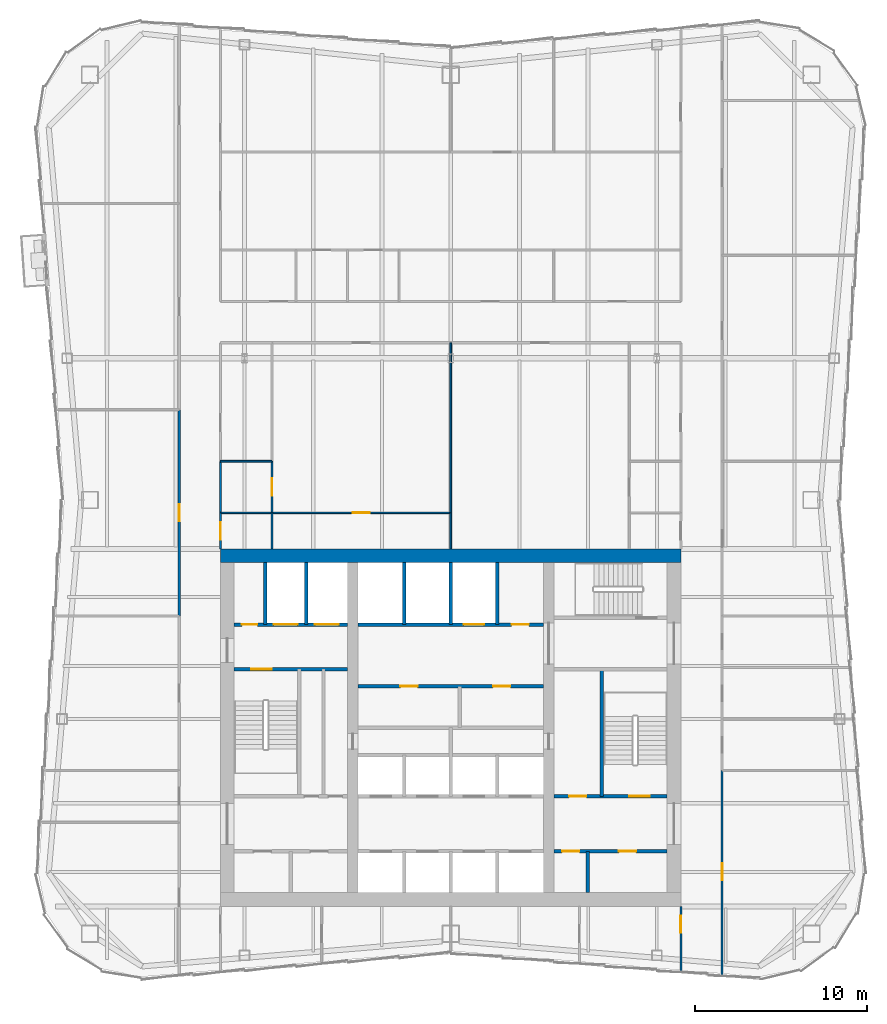
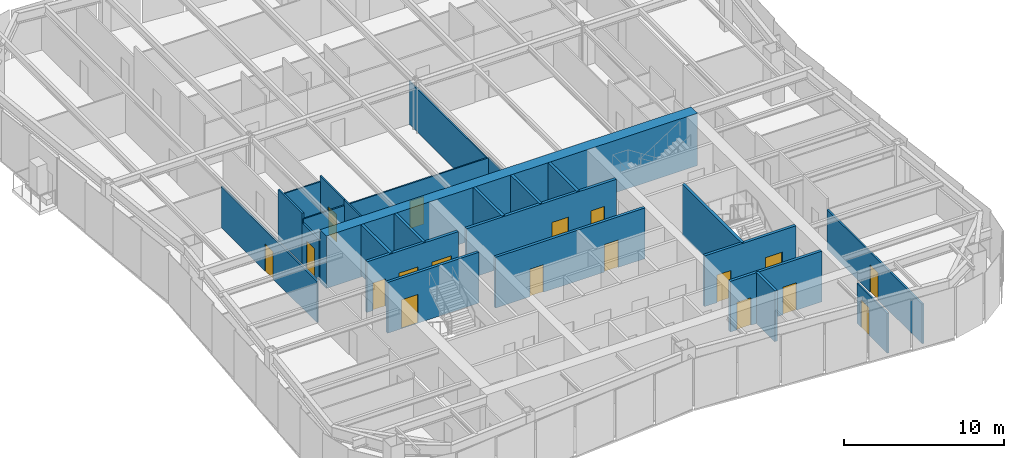
# One storey, part 7 of 12: 26 walls, 18 doors, 18 openings.
"""IFC4 building model written with IfcOpenShell, lengths in metres."""

from ifc_helpers import new_model, si_unit, direction, frame, frame_2d, origin, place, context, subcontext, project, spatial, rectangle, extrude, material, layer, layer_set, type_object, element, fill, save


model = new_model("IFC4")

# Units and contexts
model_context = context("Model", 3, precision=1e-05, world=origin(), true_north=direction((0.0, 1.0)))
body_context = subcontext(model_context, "Body", "Model", "MODEL_VIEW")
ifc_project = project(units=[si_unit("LENGTHUNIT", "METRE"), si_unit("AREAUNIT", "SQUARE_METRE"), si_unit("VOLUMEUNIT", "CUBIC_METRE"), si_unit("PLANEANGLEUNIT", "RADIAN"), si_unit("MASSUNIT", "GRAM", prefix="KILO")], contexts=[model_context])

# Site, building, storey
site_placement = place(None, origin())
site = spatial("IfcSite", under=ifc_project, at=site_placement, CompositionType="ELEMENT")
building_placement = place(site_placement, origin())
building = spatial("IfcBuilding", under=site, at=building_placement, Name="Verdant Reach Tower", CompositionType="ELEMENT")
storey_placement = place(building_placement, frame((0.0, 0.0, 246.0)))
storey = spatial("IfcBuildingStorey", under=building, at=storey_placement, Name="L56", CompositionType="ELEMENT", Elevation=246.0)

# Wall, openings, doors
ifc_material_1 = material(Name="Gypsum board on steel studs", Category="steel")
ifc_layer_1 = layer(ifc_material_1, 0.199951171875)
ifc_layer_set_1 = layer_set([ifc_layer_1], Name="CO-WALL-ROOM")
wall_type_1 = type_object("IfcWallType", Name="CO-WALL-ROOM", PredefinedType="PARTITIONING", material=ifc_layer_set_1)
wall_1_placement = place(storey_placement, frame((6.0, 20.800048828125, 0.0), z_axis=(0.0, 0.0, 1.0), x_axis=(1.0, 0.0, 0.0)))
wall_1 = element("IfcWall", 1, at=wall_1_placement, inside=storey, type_object=wall_type_1, Name="Core partition, L56", PredefinedType="PARTITIONING", context=body_context, shape_type="SweptSolid", body=[
    extrude(rectangle(XDim=6.60009765625, YDim=0.199951171875, at=frame_2d((3.300048828125, 0.0))), origin(), (0.0, 0.0, 1.0), 3.8701171875),
])
opening_1_placement = place(wall_1_placement, frame((0.489990234375, 0.0, 0.0)))
opening_1 = element("IfcOpeningElement", 2, at=opening_1_placement, cuts=wall_1, Name="Opening CD", PredefinedType="OPENING", context=body_context, shape_type="SweptSolid", body=[
    extrude(rectangle(XDim=1.0, YDim=2.10009765625, at=frame_2d((0.5, 1.050048828125))), frame((0.0, 0.10986328125, 0.0), z_axis=(0.0, -1.0, 0.0), x_axis=(1.0, 0.0, 0.0)), (0.0, 0.0, 1.0), 0.219970703125),
])
opening_2_placement = place(wall_1_placement, frame((3.7900390625, 0.0, 0.0)))
opening_2 = element("IfcOpeningElement", 3, at=opening_2_placement, cuts=wall_1, Name="Opening CD", PredefinedType="OPENING", context=body_context, shape_type="SweptSolid", body=[
    extrude(rectangle(XDim=1.0, YDim=2.10009765625, at=frame_2d((0.5, 1.050048828125))), frame((0.0, 0.10986328125, 0.0), z_axis=(0.0, -1.0, 0.0), x_axis=(1.0, 0.0, 0.0)), (0.0, 0.0, 1.0), 0.219970703125),
])
ifc_material_2 = material(Name="Timber", Category="wood")
door_type_1 = type_object("IfcDoorType", Name="CO-DOOR-ROOM", OperationType="NOTDEFINED", PredefinedType="DOOR", material=ifc_material_2)
door_1_placement = place(opening_1_placement, origin())
door_1 = element("IfcDoor", 4, at=door_1_placement, inside=storey, type_object=door_type_1, Name="Core room door, L56", OperationType="SINGLE_SWING_RIGHT", OverallHeight=2.10009765625, OverallWidth=1.0, PredefinedType="DOOR", context=body_context, shape_type="SweptSolid", body=[
    extrude(rectangle(XDim=1.0, YDim=2.10009765625, at=frame_2d((0.5, 1.050048828125))), frame((0.0, 0.02490234375, 0.0), z_axis=(0.0, -1.0, 0.0), x_axis=(1.0, 0.0, 0.0)), (0.0, 0.0, 1.0), 0.050048828125),
])
fill(opening_1, door_1)
door_2_placement = place(opening_2_placement, origin())
door_2 = element("IfcDoor", 5, at=door_2_placement, inside=storey, type_object=door_type_1, Name="Core room door, L56", OperationType="SINGLE_SWING_RIGHT", OverallHeight=2.10009765625, OverallWidth=1.0, PredefinedType="DOOR", context=body_context, shape_type="SweptSolid", body=[
    extrude(rectangle(XDim=1.0, YDim=2.10009765625, at=frame_2d((0.5, 1.050048828125))), frame((0.0, 0.02490234375, 0.0), z_axis=(0.0, -1.0, 0.0), x_axis=(1.0, 0.0, 0.0)), (0.0, 0.0, 1.0), 0.050048828125),
])
fill(opening_2, door_2)

wall_2_placement = place(storey_placement, frame((-5.39990234375, 30.39990234375, 0.0), z_axis=(0.0, 0.0, 1.0), x_axis=(1.0, 0.0, 0.0)))
wall_2 = element("IfcWall", 6, at=wall_2_placement, inside=storey, type_object=wall_type_1, Name="Core partition, L56", PredefinedType="PARTITIONING", context=body_context, shape_type="SweptSolid", body=[
    extrude(rectangle(XDim=10.7998046875, YDim=0.199951171875, at=frame_2d((5.39990234375, 0.0))), origin(), (0.0, 0.0, 1.0), 3.8701171875),
])
opening_3_placement = place(wall_2_placement, frame((2.469970703125, 0.0, 0.0)))
opening_3 = element("IfcOpeningElement", 7, at=opening_3_placement, cuts=wall_2, Name="Opening CD", PredefinedType="OPENING", context=body_context, shape_type="SweptSolid", body=[
    extrude(rectangle(XDim=1.0, YDim=2.10009765625, at=frame_2d((0.5, 1.050048828125))), frame((0.0, 0.10986328125, 0.0), z_axis=(0.0, -1.0, 0.0), x_axis=(1.0, 0.0, 0.0)), (0.0, 0.0, 1.0), 0.219970703125),
])
opening_4_placement = place(wall_2_placement, frame((7.8701171875, 0.0, 0.0)))
opening_4 = element("IfcOpeningElement", 8, at=opening_4_placement, cuts=wall_2, Name="Opening CD", PredefinedType="OPENING", context=body_context, shape_type="SweptSolid", body=[
    extrude(rectangle(XDim=1.0, YDim=2.10009765625, at=frame_2d((0.5, 1.050048828125))), frame((0.0, 0.10986328125, 0.0), z_axis=(0.0, -1.0, 0.0), x_axis=(1.0, 0.0, 0.0)), (0.0, 0.0, 1.0), 0.219970703125),
])
door_3_placement = place(opening_3_placement, origin())
door_3 = element("IfcDoor", 9, at=door_3_placement, inside=storey, type_object=door_type_1, Name="Core room door, L56", OperationType="SINGLE_SWING_RIGHT", OverallHeight=2.10009765625, OverallWidth=1.0, PredefinedType="DOOR", context=body_context, shape_type="SweptSolid", body=[
    extrude(rectangle(XDim=1.0, YDim=2.10009765625, at=frame_2d((0.5, 1.050048828125))), frame((0.0, 0.02490234375, 0.0), z_axis=(0.0, -1.0, 0.0), x_axis=(1.0, 0.0, 0.0)), (0.0, 0.0, 1.0), 0.050048828125),
])
fill(opening_3, door_3)
door_4_placement = place(opening_4_placement, origin())
door_4 = element("IfcDoor", 10, at=door_4_placement, inside=storey, type_object=door_type_1, Name="Core room door, L56", OperationType="SINGLE_SWING_LEFT", OverallHeight=2.10009765625, OverallWidth=1.0, PredefinedType="DOOR", context=body_context, shape_type="SweptSolid", body=[
    extrude(rectangle(XDim=1.0, YDim=2.10009765625, at=frame_2d((0.5, 1.050048828125))), frame((0.0, 0.02490234375, 0.0), z_axis=(0.0, -1.0, 0.0), x_axis=(1.0, 0.0, 0.0)), (0.0, 0.0, 1.0), 0.050048828125),
])
fill(opening_4, door_4)

# Wall
wall_3_placement = place(storey_placement, frame((7.97998046875, 18.39990234375, 0.0), z_axis=(0.0, 0.0, 1.0), x_axis=(0.0, 1.0, 0.0)))
element("IfcWall", 11, at=wall_3_placement, inside=storey, type_object=wall_type_1, Name="Core partition, L56", PredefinedType="PARTITIONING", context=body_context, shape_type="SweptSolid", body=[
    extrude(rectangle(XDim=2.400146484375, YDim=0.199951171875, at=frame_2d((1.2001953125, 0.0))), origin(), (0.0, 0.0, 1.0), 3.8701171875),
])

# Wall, openings, doors
ifc_material_3 = material(Name="Concrete C40/50", Category="concrete")
ifc_layer_2 = layer(ifc_material_3, 0.199951171875)
ifc_layer_set_2 = layer_set([ifc_layer_2], Name="CO-WALL-SHAFT")
wall_type_2 = type_object("IfcWallType", Name="CO-WALL-SHAFT", PredefinedType="PARTITIONING", material=ifc_layer_set_2)
wall_4_placement = place(storey_placement, frame((-12.60009765625, 34.0, 0.0), z_axis=(0.0, 0.0, 1.0), x_axis=(1.0, 0.0, 0.0)))
wall_4 = element("IfcWall", 12, at=wall_4_placement, inside=storey, type_object=wall_type_2, Name="Lift shaft wall, L56", PredefinedType="PARTITIONING", context=body_context, shape_type="SweptSolid", body=[
    extrude(rectangle(XDim=6.60009765625, YDim=0.199951171875, at=frame_2d((3.300048828125, 0.0))), origin(), (0.0, 0.0, 1.0), 3.8701171875),
])
opening_5_placement = place(wall_4_placement, frame((4.699951171875, 0.0, 0.0)))
opening_5 = element("IfcOpeningElement", 13, at=opening_5_placement, cuts=wall_4, Name="Opening LD-F1", PredefinedType="OPENING", context=body_context, shape_type="SweptSolid", body=[
    extrude(rectangle(XDim=1.39990234375, YDim=2.199951171875, at=frame_2d((0.699951171875, 1.10009765625))), frame((0.0, 0.10986328125, 0.0), z_axis=(0.0, -1.0, 0.0), x_axis=(1.0, 0.0, 0.0)), (0.0, 0.0, 1.0), 0.219970703125),
])
opening_6_placement = place(wall_4_placement, frame((2.300048828125, 0.0, 0.0)))
opening_6 = element("IfcOpeningElement", 14, at=opening_6_placement, cuts=wall_4, Name="Opening LD-F2", PredefinedType="OPENING", context=body_context, shape_type="SweptSolid", body=[
    extrude(rectangle(XDim=1.39990234375, YDim=2.199951171875, at=frame_2d((0.699951171875, 1.10009765625))), frame((0.0, 0.10986328125, 0.0), z_axis=(0.0, -1.0, 0.0), x_axis=(1.0, 0.0, 0.0)), (0.0, 0.0, 1.0), 0.219970703125),
])
opening_7_placement = place(wall_4_placement, frame((0.449951171875, 0.0, 0.0)))
opening_7 = element("IfcOpeningElement", 15, at=opening_7_placement, cuts=wall_4, Name="Opening RD", PredefinedType="OPENING", context=body_context, shape_type="SweptSolid", body=[
    extrude(rectangle(XDim=0.89990234375, YDim=2.10009765625, at=frame_2d((0.449951171875, 1.050048828125))), frame((0.0, 0.10986328125, 0.0), z_axis=(0.0, -1.0, 0.0), x_axis=(1.0, 0.0, 0.0)), (0.0, 0.0, 1.0), 0.219970703125),
])
ifc_material_4 = material(Name="Stainless steel", Category="steel")
door_type_2 = type_object("IfcDoorType", Name="CO-DOOR-LANDING-FF", OperationType="SLIDING_TO_LEFT", PredefinedType="DOOR", material=ifc_material_4)
door_5_placement = place(opening_5_placement, origin())
door_5 = element("IfcDoor", 16, at=door_5_placement, inside=storey, type_object=door_type_2, Name="Landing door F1, L56", OperationType="SLIDING_TO_LEFT", OverallHeight=2.199951171875, OverallWidth=1.39990234375, PredefinedType="DOOR", context=body_context, shape_type="SweptSolid", body=[
    extrude(rectangle(XDim=1.39990234375, YDim=2.199951171875, at=frame_2d((0.699951171875, 1.10009765625))), frame((0.0, 0.02490234375, 0.0), z_axis=(0.0, -1.0, 0.0), x_axis=(1.0, 0.0, 0.0)), (0.0, 0.0, 1.0), 0.050048828125),
])
fill(opening_5, door_5)
door_6_placement = place(opening_6_placement, origin())
door_6 = element("IfcDoor", 17, at=door_6_placement, inside=storey, type_object=door_type_2, Name="Landing door F2, L56", OperationType="SLIDING_TO_LEFT", OverallHeight=2.199951171875, OverallWidth=1.39990234375, PredefinedType="DOOR", context=body_context, shape_type="SweptSolid", body=[
    extrude(rectangle(XDim=1.39990234375, YDim=2.199951171875, at=frame_2d((0.699951171875, 1.10009765625))), frame((0.0, 0.02490234375, 0.0), z_axis=(0.0, -1.0, 0.0), x_axis=(1.0, 0.0, 0.0)), (0.0, 0.0, 1.0), 0.050048828125),
])
fill(opening_6, door_6)
ifc_material_5 = material(Name="Steel", Category="steel")
door_type_3 = type_object("IfcDoorType", Name="CO-DOOR-RISER", OperationType="NOTDEFINED", PredefinedType="DOOR", material=ifc_material_5)
door_7_placement = place(opening_7_placement, origin())
door_7 = element("IfcDoor", 18, at=door_7_placement, inside=storey, type_object=door_type_3, Name="Core room door, L56", OperationType="SINGLE_SWING_RIGHT", OverallHeight=2.10009765625, OverallWidth=0.89990234375, PredefinedType="DOOR", context=body_context, shape_type="SweptSolid", body=[
    extrude(rectangle(XDim=0.89990234375, YDim=2.10009765625, at=frame_2d((0.449951171875, 1.050048828125))), frame((0.0, 0.02490234375, 0.0), z_axis=(0.0, -1.0, 0.0), x_axis=(1.0, 0.0, 0.0)), (0.0, 0.0, 1.0), 0.050048828125),
])
fill(opening_7, door_7)

wall_5_placement = place(storey_placement, frame((-5.39990234375, 34.0, 0.0), z_axis=(0.0, 0.0, 1.0), x_axis=(1.0, 0.0, 0.0)))
wall_5 = element("IfcWall", 19, at=wall_5_placement, inside=storey, type_object=wall_type_2, Name="Lift shaft wall, L56", PredefinedType="PARTITIONING", context=body_context, shape_type="SweptSolid", body=[
    extrude(rectangle(XDim=10.7998046875, YDim=0.199951171875, at=frame_2d((5.39990234375, 0.0))), origin(), (0.0, 0.0, 1.0), 3.8701171875),
])
opening_8_placement = place(wall_5_placement, frame((6.14990234375, 0.0, 0.0)))
opening_8 = element("IfcOpeningElement", 20, at=opening_8_placement, cuts=wall_5, Name="Opening LD-SL1", PredefinedType="OPENING", context=body_context, shape_type="SweptSolid", body=[
    extrude(rectangle(XDim=1.199951171875, YDim=2.199951171875, at=frame_2d((0.60009765625, 1.10009765625))), frame((0.0, 0.10986328125, 0.0), z_axis=(0.0, -1.0, 0.0), x_axis=(1.0, 0.0, 0.0)), (0.0, 0.0, 1.0), 0.219970703125),
])
opening_9_placement = place(wall_5_placement, frame((8.949951171875, 0.0, 0.0)))
opening_9 = element("IfcOpeningElement", 21, at=opening_9_placement, cuts=wall_5, Name="Opening CD", PredefinedType="OPENING", context=body_context, shape_type="SweptSolid", body=[
    extrude(rectangle(XDim=1.0, YDim=2.10009765625, at=frame_2d((0.5, 1.050048828125))), frame((0.0, 0.10986328125, 0.0), z_axis=(0.0, -1.0, 0.0), x_axis=(1.0, 0.0, 0.0)), (0.0, 0.0, 1.0), 0.219970703125),
])
door_type_4 = type_object("IfcDoorType", Name="CO-DOOR-LANDING", OperationType="SLIDING_TO_LEFT", PredefinedType="DOOR", material=ifc_material_4)
door_8_placement = place(opening_8_placement, origin())
door_8 = element("IfcDoor", 22, at=door_8_placement, inside=storey, type_object=door_type_4, Name="Landing door SL1, L56", OperationType="SLIDING_TO_LEFT", OverallHeight=2.199951171875, OverallWidth=1.199951171875, PredefinedType="DOOR", context=body_context, shape_type="SweptSolid", body=[
    extrude(rectangle(XDim=1.199951171875, YDim=2.199951171875, at=frame_2d((0.60009765625, 1.10009765625))), frame((0.0, 0.02490234375, 0.0), z_axis=(0.0, -1.0, 0.0), x_axis=(1.0, 0.0, 0.0)), (0.0, 0.0, 1.0), 0.050048828125),
])
fill(opening_8, door_8)
door_9_placement = place(opening_9_placement, origin())
door_9 = element("IfcDoor", 23, at=door_9_placement, inside=storey, type_object=door_type_1, Name="Core room door, L56", OperationType="SINGLE_SWING_LEFT", OverallHeight=2.10009765625, OverallWidth=1.0, PredefinedType="DOOR", context=body_context, shape_type="SweptSolid", body=[
    extrude(rectangle(XDim=1.0, YDim=2.10009765625, at=frame_2d((0.5, 1.050048828125))), frame((0.0, 0.02490234375, 0.0), z_axis=(0.0, -1.0, 0.0), x_axis=(1.0, 0.0, 0.0)), (0.0, 0.0, 1.0), 0.050048828125),
])
fill(opening_9, door_9)

# Walls
for number, where, z_axis, x_axis, name in (
    (24, (-10.800048828125, 34.0, 0.0), (0.0, 0.0, 1.0), (0.0, 1.0, 0.0), "Lift shaft wall, L56"),
    (25, (-8.39990234375, 34.0, 0.0), (0.0, 0.0, 1.0), (0.0, 1.0, 0.0), "Lift shaft wall, L56"),
    (26, (-2.699951171875, 34.0, 0.0), (0.0, 0.0, 1.0), (0.0, 1.0, 0.0), "Lift shaft wall, L56"),
    (27, (0.0, 34.0, 0.0), (0.0, 0.0, 1.0), (0.0, 1.0, 0.0), "Lift shaft wall, L56"),
    (28, (2.699951171875, 34.0, 0.0), (0.0, 0.0, 1.0), (0.0, 1.0, 0.0), "Lift shaft wall, L56"),
):
    element("IfcWall", number, at=place(storey_placement, frame(where, z_axis=z_axis, x_axis=x_axis)), inside=storey, type_object=wall_type_2, Name=name, PredefinedType="PARTITIONING", context=body_context, shape_type="SweptSolid", body=[
        extrude(rectangle(XDim=3.60009765625, YDim=0.199951171875, at=frame_2d((1.800048828125, 0.0))), origin(), (0.0, 0.0, 1.0), 3.8701171875),
    ])

# Wall, openings, doors
ifc_layer_3 = layer(ifc_material_3, 0.199951171875)
ifc_layer_set_3 = layer_set([ifc_layer_3], Name="CO-WALL-STAIR")
wall_type_3 = type_object("IfcWallType", Name="CO-WALL-STAIR", PredefinedType="PARTITIONING", material=ifc_layer_set_3)
wall_6_placement = place(storey_placement, frame((6.0, 24.0, 0.0), z_axis=(0.0, 0.0, 1.0), x_axis=(1.0, 0.0, 0.0)))
wall_6 = element("IfcWall", 29, at=wall_6_placement, inside=storey, type_object=wall_type_3, Name="Stair enclosure wall, L56", PredefinedType="PARTITIONING", context=body_context, shape_type="SweptSolid", body=[
    extrude(rectangle(XDim=6.60009765625, YDim=0.199951171875, at=frame_2d((3.300048828125, 0.0))), origin(), (0.0, 0.0, 1.0), 3.8701171875),
])
opening_10_placement = place(wall_6_placement, frame((0.89990234375, 0.0, 0.0)))
opening_10 = element("IfcOpeningElement", 30, at=opening_10_placement, cuts=wall_6, Name="Opening CD", PredefinedType="OPENING", context=body_context, shape_type="SweptSolid", body=[
    extrude(rectangle(XDim=1.0, YDim=2.10009765625, at=frame_2d((0.5, 1.050048828125))), frame((0.0, 0.10986328125, 0.0), z_axis=(0.0, -1.0, 0.0), x_axis=(1.0, 0.0, 0.0)), (0.0, 0.0, 1.0), 0.219970703125),
])
opening_11_placement = place(wall_6_placement, frame((4.39990234375, 0.0, 0.0)))
opening_11 = element("IfcOpeningElement", 31, at=opening_11_placement, cuts=wall_6, Name="Opening SD", PredefinedType="OPENING", context=body_context, shape_type="SweptSolid", body=[
    extrude(rectangle(XDim=1.199951171875, YDim=2.199951171875, at=frame_2d((0.60009765625, 1.10009765625))), frame((0.0, 0.10986328125, 0.0), z_axis=(0.0, -1.0, 0.0), x_axis=(1.0, 0.0, 0.0)), (0.0, 0.0, 1.0), 0.219970703125),
])
door_10_placement = place(opening_10_placement, origin())
door_10 = element("IfcDoor", 32, at=door_10_placement, inside=storey, type_object=door_type_1, Name="Core room door, L56", OperationType="SINGLE_SWING_RIGHT", OverallHeight=2.10009765625, OverallWidth=1.0, PredefinedType="DOOR", context=body_context, shape_type="SweptSolid", body=[
    extrude(rectangle(XDim=1.0, YDim=2.10009765625, at=frame_2d((0.5, 1.050048828125))), frame((0.0, 0.02490234375, 0.0), z_axis=(0.0, -1.0, 0.0), x_axis=(1.0, 0.0, 0.0)), (0.0, 0.0, 1.0), 0.050048828125),
])
fill(opening_10, door_10)
door_type_5 = type_object("IfcDoorType", Name="CO-DOOR-STAIR", OperationType="NOTDEFINED", PredefinedType="DOOR", material=ifc_material_5)
door_11_placement = place(opening_11_placement, origin())
door_11 = element("IfcDoor", 33, at=door_11_placement, inside=storey, type_object=door_type_5, Name="Stair door, L56", OperationType="SINGLE_SWING_LEFT", OverallHeight=2.199951171875, OverallWidth=1.199951171875, PredefinedType="DOOR", context=body_context, shape_type="SweptSolid", body=[
    extrude(rectangle(XDim=1.199951171875, YDim=2.199951171875, at=frame_2d((0.60009765625, 1.10009765625))), frame((0.0, 0.02490234375, 0.0), z_axis=(0.0, -1.0, 0.0), x_axis=(1.0, 0.0, 0.0)), (0.0, 0.0, 1.0), 0.050048828125),
])
fill(opening_11, door_11)

# Wall, opening, door
wall_7_placement = place(storey_placement, frame((-12.60009765625, 31.39990234375, 0.0), z_axis=(0.0, 0.0, 1.0), x_axis=(1.0, 0.0, 0.0)))
wall_7 = element("IfcWall", 34, at=wall_7_placement, inside=storey, type_object=wall_type_3, Name="Stair enclosure wall, L56", PredefinedType="PARTITIONING", context=body_context, shape_type="SweptSolid", body=[
    extrude(rectangle(XDim=6.60009765625, YDim=0.199951171875, at=frame_2d((3.300048828125, 0.0))), origin(), (0.0, 0.0, 1.0), 3.8701171875),
])
opening_12_placement = place(wall_7_placement, frame((1.0, 0.0, 0.0)))
opening_12 = element("IfcOpeningElement", 35, at=opening_12_placement, cuts=wall_7, Name="Opening SD", PredefinedType="OPENING", context=body_context, shape_type="SweptSolid", body=[
    extrude(rectangle(XDim=1.199951171875, YDim=2.199951171875, at=frame_2d((0.60009765625, 1.10009765625))), frame((0.0, 0.10986328125, 0.0), z_axis=(0.0, -1.0, 0.0), x_axis=(1.0, 0.0, 0.0)), (0.0, 0.0, 1.0), 0.219970703125),
])
door_12_placement = place(opening_12_placement, origin())
door_12 = element("IfcDoor", 36, at=door_12_placement, inside=storey, type_object=door_type_5, Name="Stair door, L56", OperationType="SINGLE_SWING_RIGHT", OverallHeight=2.199951171875, OverallWidth=1.199951171875, PredefinedType="DOOR", context=body_context, shape_type="SweptSolid", body=[
    extrude(rectangle(XDim=1.199951171875, YDim=2.199951171875, at=frame_2d((0.60009765625, 1.10009765625))), frame((0.0, 0.02490234375, 0.0), z_axis=(0.0, -1.0, 0.0), x_axis=(1.0, 0.0, 0.0)), (0.0, 0.0, 1.0), 0.050048828125),
])
fill(opening_12, door_12)

# Walls
wall_8_placement = place(storey_placement, frame((8.800048828125, 24.0, 0.0), z_axis=(0.0, 0.0, 1.0), x_axis=(0.0, 1.0, 0.0)))
element("IfcWall", 37, at=wall_8_placement, inside=storey, type_object=wall_type_3, Name="Stair enclosure wall, L56", PredefinedType="PARTITIONING", context=body_context, shape_type="SweptSolid", body=[
    extrude(rectangle(XDim=7.39990234375, YDim=0.199951171875, at=frame_2d((3.699951171875, 0.0))), origin(), (0.0, 0.0, 1.0), 3.8701171875),
])
ifc_layer_4 = layer(ifc_material_1, 0.10009765625)
ifc_layer_set_4 = layer_set([ifc_layer_4], Name="FL-W1 Partition 100")
wall_type_4 = type_object("IfcWallType", Name="FL-W1 Partition 100", PredefinedType="PARTITIONING", material=ifc_layer_set_4)
wall_9_placement = place(storey_placement, frame((-10.39990234375, 40.5, 0.0), z_axis=(0.0, 0.0, 1.0), x_axis=(-1.0, 0.0, 0.0)))
element("IfcWall", 38, at=wall_9_placement, inside=storey, type_object=wall_type_4, Name="Partition 56.53", PredefinedType="PARTITIONING", context=body_context, shape_type="SweptSolid", body=[
    extrude(rectangle(XDim=3.0, YDim=0.10009765625, at=frame_2d((1.5, 0.0))), origin(), (0.0, 0.0, 1.0), 3.43994140625),
])
wall_10_placement = place(storey_placement, frame((-10.39990234375, 38.39990234375, 0.0), z_axis=(0.0, 0.0, 1.0), x_axis=(0.0, 1.0, 0.0)))
element("IfcWall", 39, at=wall_10_placement, inside=storey, type_object=wall_type_4, Name="Partition 56.54", PredefinedType="PARTITIONING", context=body_context, shape_type="SweptSolid", body=[
    extrude(rectangle(XDim=2.10009765625, YDim=0.10009765625, at=frame_2d((1.050048828125, 0.0))), origin(), (0.0, 0.0, 1.0), 3.8701171875),
])
wall_11_placement = place(storey_placement, frame((-10.39990234375, 43.5, 0.0), z_axis=(0.0, 0.0, 1.0), x_axis=(-1.0, 0.0, 0.0)))
element("IfcWall", 40, at=wall_11_placement, inside=storey, type_object=wall_type_4, Name="Partition 56.55", PredefinedType="PARTITIONING", context=body_context, shape_type="SweptSolid", body=[
    extrude(rectangle(XDim=3.0, YDim=0.10009765625, at=frame_2d((1.5, 0.0))), origin(), (0.0, 0.0, 1.0), 3.43994140625),
])

# Wall, opening, door
wall_12_placement = place(storey_placement, frame((-10.39990234375, 40.5, 0.0), z_axis=(0.0, 0.0, 1.0), x_axis=(0.0, 1.0, 0.0)))
wall_12 = element("IfcWall", 41, at=wall_12_placement, inside=storey, type_object=wall_type_4, Name="Partition 56.56", PredefinedType="PARTITIONING", context=body_context, shape_type="SweptSolid", body=[
    extrude(rectangle(XDim=3.00390625, YDim=0.10009765625, at=frame_2d((1.501953125, 0.0))), origin(), (0.0, 0.0, 1.0), 3.8701171875),
])
opening_13_placement = place(wall_12_placement, frame((1.001953125, 0.0, 0.0)))
opening_13 = element("IfcOpeningElement", 42, at=opening_13_placement, cuts=wall_12, Name="Opening D3", PredefinedType="OPENING", context=body_context, shape_type="SweptSolid", body=[
    extrude(rectangle(XDim=1.0, YDim=2.10009765625, at=frame_2d((0.5, 1.050048828125))), frame((0.0, 0.06005859375, 0.0), z_axis=(0.0, -1.0, 0.0), x_axis=(1.0, 0.0, 0.0)), (0.0, 0.0, 1.0), 0.1201171875),
])
ifc_material_6 = material(Name="Painted timber door leaf", Category="wood")
door_type_6 = type_object("IfcDoorType", Name="FL-D3 Door 1000x2100", OperationType="NOTDEFINED", PredefinedType="DOOR", material=ifc_material_6)
door_13_placement = place(opening_13_placement, origin())
door_13 = element("IfcDoor", 43, at=door_13_placement, inside=storey, type_object=door_type_6, Name="Door 56-031", OperationType="SINGLE_SWING_LEFT", OverallHeight=2.10009765625, OverallWidth=1.0, PredefinedType="DOOR", context=body_context, shape_type="SweptSolid", body=[
    extrude(rectangle(XDim=1.0, YDim=2.10009765625, at=frame_2d((0.5, 1.050048828125))), frame((0.0, 0.02490234375, 0.0), z_axis=(0.0, -1.0, 0.0), x_axis=(1.0, 0.0, 0.0)), (0.0, 0.0, 1.0), 0.050048828125),
])
fill(opening_13, door_13)

wall_13_placement = place(storey_placement, frame((0.0, 40.5, 0.0), z_axis=(0.0, 0.0, 1.0), x_axis=(-1.0, 0.0, 0.0)))
wall_13 = element("IfcWall", 44, at=wall_13_placement, inside=storey, type_object=wall_type_4, Name="Partition 56.58", PredefinedType="PARTITIONING", context=body_context, shape_type="SweptSolid", body=[
    extrude(rectangle(XDim=10.39990234375, YDim=0.10009765625, at=frame_2d((5.199951171875, 0.0))), origin(), (0.0, 0.0, 1.0), 3.43994140625),
])
opening_14_placement = place(wall_13_placement, frame((4.699951171875, 0.0, 0.0)))
opening_14 = element("IfcOpeningElement", 45, at=opening_14_placement, cuts=wall_13, Name="Opening D3", PredefinedType="OPENING", context=body_context, shape_type="SweptSolid", body=[
    extrude(rectangle(XDim=1.0, YDim=2.10009765625, at=frame_2d((0.5, 1.050048828125))), frame((0.0, 0.06005859375, 0.0), z_axis=(0.0, -1.0, 0.0), x_axis=(1.0, 0.0, 0.0)), (0.0, 0.0, 1.0), 0.1201171875),
])
door_14_placement = place(opening_14_placement, origin())
door_14 = element("IfcDoor", 46, at=door_14_placement, inside=storey, type_object=door_type_6, Name="Door 56-032", OperationType="SINGLE_SWING_RIGHT", OverallHeight=2.10009765625, OverallWidth=1.0, PredefinedType="DOOR", context=body_context, shape_type="SweptSolid", body=[
    extrude(rectangle(XDim=1.0, YDim=2.10009765625, at=frame_2d((0.5, 1.050048828125))), frame((0.0, 0.02490234375, 0.0), z_axis=(0.0, -1.0, 0.0), x_axis=(1.0, 0.0, 0.0)), (0.0, 0.0, 1.0), 0.050048828125),
])
fill(opening_14, door_14)

# Walls
wall_14_placement = place(storey_placement, frame((0.0, 38.39990234375, 0.0), z_axis=(0.0, 0.0, 1.0), x_axis=(0.0, 1.0, 0.0)))
element("IfcWall", 47, at=wall_14_placement, inside=storey, type_object=wall_type_4, Name="Partition 56.59", PredefinedType="PARTITIONING", context=body_context, shape_type="SweptSolid", body=[
    extrude(rectangle(XDim=2.10400390625, YDim=0.10009765625, at=frame_2d((1.052001953125, 0.0))), origin(), (0.0, 0.0, 1.0), 3.43994140625),
])
wall_15_placement = place(storey_placement, frame((0.0, 40.49609375, 0.0), z_axis=(0.0, 0.0, 1.0), x_axis=(0.0, 1.0, 0.0)))
element("IfcWall", 48, at=wall_15_placement, inside=storey, type_object=wall_type_4, Name="Partition 56.60", PredefinedType="PARTITIONING", context=body_context, shape_type="SweptSolid", body=[
    extrude(rectangle(XDim=9.90380859375, YDim=0.10009765625, at=frame_2d((4.951904296875, 0.0))), origin(), (0.0, 0.0, 1.0), 3.2900390625),
])

# Wall, opening, door
ifc_material_7 = material(Name="Gypsum board on steel studs, fire rated", Category="steel")
ifc_layer_5 = layer(ifc_material_7, 0.125)
ifc_layer_set_5 = layer_set([ifc_layer_5], Name="FL-W2 Corridor wall 125")
wall_type_5 = type_object("IfcWallType", Name="FL-W2 Corridor wall 125", PredefinedType="PARTITIONING", material=ifc_layer_set_5)
wall_16_placement = place(storey_placement, frame((-15.800048828125, 34.5, 0.0), z_axis=(0.0, 0.0, 1.0), x_axis=(0.0, 1.0, 0.0)))
wall_16 = element("IfcWall", 49, at=wall_16_placement, inside=storey, type_object=wall_type_5, Name="Partition 56.04", PredefinedType="PARTITIONING", context=body_context, shape_type="SweptSolid", body=[
    extrude(rectangle(XDim=12.0, YDim=0.125, at=frame_2d((6.0, 0.0))), origin(), (0.0, 0.0, 1.0), 3.139892578125),
])
opening_15_placement = place(wall_16_placement, frame((5.5, 0.0, 0.0)))
opening_15 = element("IfcOpeningElement", 50, at=opening_15_placement, cuts=wall_16, Name="Opening D2", PredefinedType="OPENING", context=body_context, shape_type="SweptSolid", body=[
    extrude(rectangle(XDim=1.0, YDim=2.10009765625, at=frame_2d((0.5, 1.050048828125))), frame((0.0, 0.072509765625, 0.0), z_axis=(0.0, -1.0, 0.0), x_axis=(1.0, 0.0, 0.0)), (0.0, 0.0, 1.0), 0.14501953125),
])
ifc_material_8 = material(Name="Timber door leaf, fire rated", Category="wood")
door_type_7 = type_object("IfcDoorType", Name="FL-D2 Entrance door 1000x2100 FD30", OperationType="NOTDEFINED", PredefinedType="DOOR", material=ifc_material_8)
door_15_placement = place(opening_15_placement, origin())
door_15 = element("IfcDoor", 51, at=door_15_placement, inside=storey, type_object=door_type_7, Name="Door 56-004", OperationType="SINGLE_SWING_RIGHT", OverallHeight=2.10009765625, OverallWidth=1.0, PredefinedType="DOOR", context=body_context, shape_type="SweptSolid", body=[
    extrude(rectangle(XDim=1.0, YDim=2.10009765625, at=frame_2d((0.5, 1.050048828125))), frame((0.0, 0.02490234375, 0.0), z_axis=(0.0, -1.0, 0.0), x_axis=(1.0, 0.0, 0.0)), (0.0, 0.0, 1.0), 0.050048828125),
])
fill(opening_15, door_15)

wall_17_placement = place(storey_placement, frame((15.800048828125, 25.5, 0.0), z_axis=(0.0, 0.0, 1.0), x_axis=(0.0, -1.0, 0.0)))
wall_17 = element("IfcWall", 52, at=wall_17_placement, inside=storey, type_object=wall_type_5, Name="Partition 56.07", PredefinedType="PARTITIONING", context=body_context, shape_type="SweptSolid", body=[
    extrude(rectangle(XDim=11.896728515625, YDim=0.125, at=frame_2d((5.9482421875, 0.0))), origin(), (0.0, 0.0, 1.0), 3.0400390625),
])
opening_16_placement = place(wall_17_placement, frame((5.38330078125, 0.0, 0.0)))
opening_16 = element("IfcOpeningElement", 53, at=opening_16_placement, cuts=wall_17, Name="Opening D2", PredefinedType="OPENING", context=body_context, shape_type="SweptSolid", body=[
    extrude(rectangle(XDim=1.0, YDim=2.10009765625, at=frame_2d((0.5, 1.050048828125))), frame((0.0, 0.072509765625, 0.0), z_axis=(0.0, -1.0, 0.0), x_axis=(1.0, 0.0, 0.0)), (0.0, 0.0, 1.0), 0.14501953125),
])
door_16_placement = place(opening_16_placement, origin())
door_16 = element("IfcDoor", 54, at=door_16_placement, inside=storey, type_object=door_type_7, Name="Door 56-007", OperationType="SINGLE_SWING_LEFT", OverallHeight=2.10009765625, OverallWidth=1.0, PredefinedType="DOOR", context=body_context, shape_type="SweptSolid", body=[
    extrude(rectangle(XDim=1.0, YDim=2.10009765625, at=frame_2d((0.5, 1.050048828125))), frame((0.0, 0.02490234375, 0.0), z_axis=(0.0, -1.0, 0.0), x_axis=(1.0, 0.0, 0.0)), (0.0, 0.0, 1.0), 0.050048828125),
])
fill(opening_16, door_16)

wall_18_placement = place(storey_placement, frame((13.39990234375, 13.80322265625, 0.0), z_axis=(0.0, 0.0, 1.0), x_axis=(0.0, 1.0, 0.0)))
wall_18 = element("IfcWall", 55, at=wall_18_placement, inside=storey, type_object=wall_type_5, Name="Partition 56.16", PredefinedType="PARTITIONING", context=body_context, shape_type="SweptSolid", body=[
    extrude(rectangle(XDim=3.796875, YDim=0.125, at=frame_2d((1.8984375, 0.0))), origin(), (0.0, 0.0, 1.0), 3.0400390625),
])
opening_17_placement = place(wall_18_placement, frame((2.263427734375, 0.0, 0.0)))
opening_17 = element("IfcOpeningElement", 56, at=opening_17_placement, cuts=wall_18, Name="Opening D2", PredefinedType="OPENING", context=body_context, shape_type="SweptSolid", body=[
    extrude(rectangle(XDim=1.0, YDim=2.10009765625, at=frame_2d((0.5, 1.050048828125))), frame((0.0, 0.072509765625, 0.0), z_axis=(0.0, -1.0, 0.0), x_axis=(1.0, 0.0, 0.0)), (0.0, 0.0, 1.0), 0.14501953125),
])
door_17_placement = place(opening_17_placement, origin())
door_17 = element("IfcDoor", 57, at=door_17_placement, inside=storey, type_object=door_type_7, Name="Door 56-016", OperationType="SINGLE_SWING_RIGHT", OverallHeight=2.10009765625, OverallWidth=1.0, PredefinedType="DOOR", context=body_context, shape_type="SweptSolid", body=[
    extrude(rectangle(XDim=1.0, YDim=2.10009765625, at=frame_2d((0.5, 1.050048828125))), frame((0.0, 0.02490234375, 0.0), z_axis=(0.0, -1.0, 0.0), x_axis=(1.0, 0.0, 0.0)), (0.0, 0.0, 1.0), 0.050048828125),
])
fill(opening_17, door_17)

wall_19_placement = place(storey_placement, frame((-13.39990234375, 40.5, 0.0), z_axis=(0.0, 0.0, 1.0), x_axis=(0.0, -1.0, 0.0)))
wall_19 = element("IfcWall", 58, at=wall_19_placement, inside=storey, type_object=wall_type_5, Name="Partition 56.17", PredefinedType="PARTITIONING", context=body_context, shape_type="SweptSolid", body=[
    extrude(rectangle(XDim=2.10009765625, YDim=0.125, at=frame_2d((1.050048828125, 0.0))), origin(), (0.0, 0.0, 1.0), 3.139892578125),
])
opening_18_placement = place(wall_19_placement, frame((0.550048828125, 0.0, 0.0)))
opening_18 = element("IfcOpeningElement", 59, at=opening_18_placement, cuts=wall_19, Name="Opening D2", PredefinedType="OPENING", context=body_context, shape_type="SweptSolid", body=[
    extrude(rectangle(XDim=1.0, YDim=2.10009765625, at=frame_2d((0.5, 1.050048828125))), frame((0.0, 0.072509765625, 0.0), z_axis=(0.0, -1.0, 0.0), x_axis=(1.0, 0.0, 0.0)), (0.0, 0.0, 1.0), 0.14501953125),
])
door_18_placement = place(opening_18_placement, origin())
door_18 = element("IfcDoor", 60, at=door_18_placement, inside=storey, type_object=door_type_7, Name="Door 56-017", OperationType="SINGLE_SWING_LEFT", OverallHeight=2.10009765625, OverallWidth=1.0, PredefinedType="DOOR", context=body_context, shape_type="SweptSolid", body=[
    extrude(rectangle(XDim=1.0, YDim=2.10009765625, at=frame_2d((0.5, 1.050048828125))), frame((0.0, 0.02490234375, 0.0), z_axis=(0.0, -1.0, 0.0), x_axis=(1.0, 0.0, 0.0)), (0.0, 0.0, 1.0), 0.050048828125),
])
fill(opening_18, door_18)

# Walls
wall_20_placement = place(storey_placement, frame((-13.39990234375, 40.5, 0.0), z_axis=(0.0, 0.0, 1.0), x_axis=(0.0, 1.0, 0.0)))
element("IfcWall", 61, at=wall_20_placement, inside=storey, type_object=wall_type_5, Name="Partition 56.18", PredefinedType="PARTITIONING", context=body_context, shape_type="SweptSolid", body=[
    extrude(rectangle(XDim=3.0, YDim=0.125, at=frame_2d((1.5, 0.0))), origin(), (0.0, 0.0, 1.0), 3.8701171875),
])
ifc_material_9 = material(Name="Concrete C70/85", Category="concrete")
ifc_layer_6 = layer(ifc_material_9, 0.800048828125)
ifc_layer_set_6 = layer_set([ifc_layer_6], Name="ST-CORE-WALL-800")
wall_type_6 = type_object("IfcWallType", Name="ST-CORE-WALL-800", PredefinedType="SHEAR", material=ifc_layer_set_6)
wall_21_placement = place(storey_placement, frame((-13.39990234375, 38.0, -0.1298828125), z_axis=(0.0, 0.0, 1.0), x_axis=(1.0, 0.0, 0.0)))
element("IfcWall", 62, at=wall_21_placement, inside=storey, type_object=wall_type_6, Name="Core wall N, L56", PredefinedType="SHEAR", context=body_context, shape_type="SweptSolid", body=[
    extrude(rectangle(XDim=26.7998046875, YDim=0.800048828125, at=frame_2d((13.39990234375, 0.0))), origin(), (0.0, 0.0, 1.0), 4.0),
])

save(model, "model.ifc")
